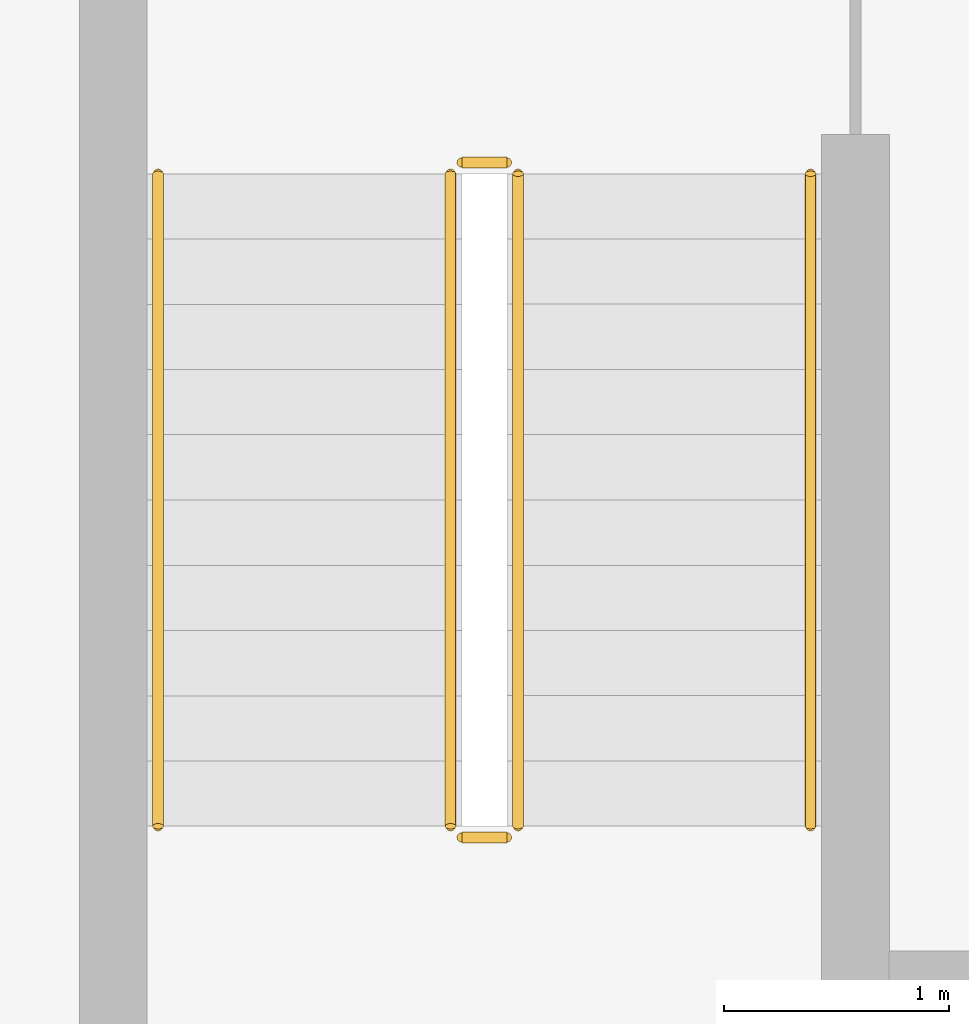
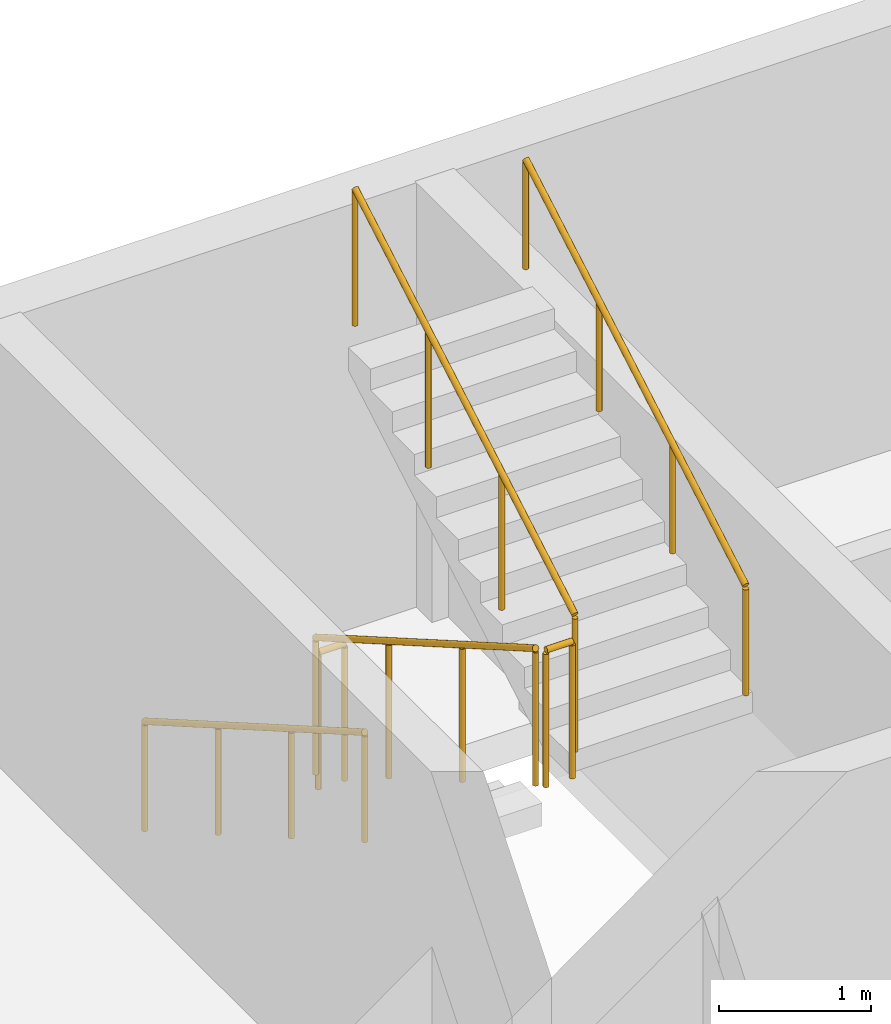
# One storey, part 71 of 73: 6 railings.
"""IFC4 building model written with IfcOpenShell, lengths in metres."""

from ifc_helpers import new_model, si_unit, derived_unit, direction, frame, origin, origin_2d, place, context, subcontext, project, spatial, circle, extrude, material, type_object, element, save


model = new_model("IFC4")

# Units and contexts
model_context = context("Model", 3, precision=1e-05, world=origin(), true_north=direction((0.0, 1.0)))
body_context = subcontext(model_context, "Body", "Model", "MODEL_VIEW")
ifc_project = project(units=[si_unit("LENGTHUNIT", "METRE"), si_unit("AREAUNIT", "SQUARE_METRE"), si_unit("VOLUMEUNIT", "CUBIC_METRE"), si_unit("PLANEANGLEUNIT", "RADIAN"), si_unit("MASSUNIT", "GRAM", prefix="KILO"), derived_unit("THERMALTRANSMITTANCEUNIT", [(si_unit("MASSUNIT", "GRAM", prefix="KILO"), 1), (si_unit("TIMEUNIT", "SECOND"), -3), (si_unit("THERMODYNAMICTEMPERATUREUNIT", "KELVIN"), -1)])], contexts=[model_context])

# Site, building, storey
site_placement = place(None, origin())
site = spatial("IfcSite", under=ifc_project, at=site_placement, CompositionType="ELEMENT")
building_placement = place(site_placement, origin())
building = spatial("IfcBuilding", under=site, at=building_placement, Name="Ochrekiln Boulevard Commons", CompositionType="ELEMENT")
storey_placement = place(building_placement, frame((0.0, 0.0, 4.89990234375)))
storey = spatial("IfcBuildingStorey", under=building, at=storey_placement, Name="L01", CompositionType="ELEMENT", Elevation=4.89990234375)

# Railings
ifc_material = material(Name="Brushed stainless steel 316 tubular railing", Category="steel")
railing_type_1 = type_object("IfcRailingType", Name="RLG-HDR-900", PredefinedType="HANDRAIL", material=ifc_material)
railing_1_placement = place(storey_placement, frame((157.64990234375, 116.929931640625, 0.167236328125)))
element("IfcRailing", 1, at=railing_1_placement, inside=storey, type_object=railing_type_1, Name="L01 ST-B2 stair handrail 1", PredefinedType="HANDRAIL", context=body_context, shape_type="SweptSolid", body=[
    extrude(circle(Radius=0.02392578125, at=origin_2d()), frame((0.0, 0.0, 0.8759765625), z_axis=(0.0, -0.866523023801, 0.499137104634), x_axis=(1.0, 0.0, 0.0)), (0.0, 0.0, 1.0), 3.3466796875),
    extrude(circle(Radius=0.02099609375, at=origin_2d()), origin(), (0.0, 0.0, 1.0), 0.851806640625),
    extrude(circle(Radius=0.02099609375, at=origin_2d()), frame((0.0, -0.966552734375, 0.556884765625)), (0.0, 0.0, 1.0), 0.851806640625),
    extrude(circle(Radius=0.02099609375, at=origin_2d()), frame((0.0, -1.933349609375, 1.113525390625)), (0.0, 0.0, 1.0), 0.851806640625),
    extrude(circle(Radius=0.02099609375, at=origin_2d()), frame((0.0, -2.89990234375, 1.67041015625)), (0.0, 0.0, 1.0), 0.851806640625),
])
railing_2_placement = place(storey_placement, frame((160.550048828125, 114.030029296875, 2.004638671875)))
element("IfcRailing", 2, at=railing_2_placement, inside=storey, type_object=railing_type_1, Name="L01 ST-B2 stair handrail 2", PredefinedType="HANDRAIL", context=body_context, shape_type="SweptSolid", body=[
    extrude(circle(Radius=0.02392578125, at=origin_2d()), frame((0.0, 0.0, 0.8759765625), z_axis=(0.0, 0.866523023801, 0.499137104634), x_axis=(-1.0, 0.0, 0.0)), (0.0, 0.0, 1.0), 3.3466796875),
    extrude(circle(Radius=0.02099609375, at=origin_2d()), origin(), (0.0, 0.0, 1.0), 0.851806640625),
    extrude(circle(Radius=0.02099609375, at=origin_2d()), frame((0.0, 0.966552734375, 0.556884765625)), (0.0, 0.0, 1.0), 0.851806640625),
    extrude(circle(Radius=0.02099609375, at=origin_2d()), frame((0.0, 1.933349609375, 1.113525390625)), (0.0, 0.0, 1.0), 0.851806640625),
    extrude(circle(Radius=0.02099609375, at=origin_2d()), frame((0.0, 2.89990234375, 1.67041015625)), (0.0, 0.0, 1.0), 0.851806640625),
])
railing_type_2 = type_object("IfcRailingType", Name="RLG-STR-1120", PredefinedType="BALUSTRADE", material=ifc_material)
railing_3_placement = place(storey_placement, frame((158.949951171875, 116.929931640625, 0.167236328125)))
element("IfcRailing", 3, at=railing_3_placement, inside=storey, type_object=railing_type_2, Name="L01 ST-B2 stair guard 1", PredefinedType="BALUSTRADE", context=body_context, shape_type="SweptSolid", body=[
    extrude(circle(Radius=0.02392578125, at=origin_2d()), frame((0.0, 0.0, 1.09619140625), z_axis=(0.0, -0.866523023801, 0.499137104634), x_axis=(1.0, 0.0, 0.0)), (0.0, 0.0, 1.0), 3.3466796875),
    extrude(circle(Radius=0.02099609375, at=origin_2d()), origin(), (0.0, 0.0, 1.0), 1.072021484375),
    extrude(circle(Radius=0.02099609375, at=origin_2d()), frame((0.0, -0.966552734375, 0.556884765625)), (0.0, 0.0, 1.0), 1.072021484375),
    extrude(circle(Radius=0.02099609375, at=origin_2d()), frame((0.0, -1.933349609375, 1.113525390625)), (0.0, 0.0, 1.0), 1.072021484375),
    extrude(circle(Radius=0.02099609375, at=origin_2d()), frame((0.0, -2.89990234375, 1.67041015625)), (0.0, 0.0, 1.0), 1.072021484375),
])
railing_4_placement = place(storey_placement, frame((159.0, 113.97998046875, 1.837646484375)))
element("IfcRailing", 4, at=railing_4_placement, inside=storey, type_object=railing_type_2, Name="L01 ST-B2 stair guard 2", PredefinedType="BALUSTRADE", context=body_context, shape_type="SweptSolid", body=[
    extrude(circle(Radius=0.02392578125, at=origin_2d()), frame((0.0, 0.0, 1.09619140625), z_axis=(1.0, 0.0, 0.0), x_axis=(0.0, 1.0, 0.0)), (0.0, 0.0, 1.0), 0.199951171875),
    extrude(circle(Radius=0.02099609375, at=origin_2d()), origin(), (0.0, 0.0, 1.0), 1.072021484375),
    extrude(circle(Radius=0.02099609375, at=origin_2d()), frame((0.199951171875, 0.0, 0.0)), (0.0, 0.0, 1.0), 1.072021484375),
])
railing_5_placement = place(storey_placement, frame((159.25, 114.030029296875, 2.004638671875)))
element("IfcRailing", 5, at=railing_5_placement, inside=storey, type_object=railing_type_2, Name="L01 ST-B2 stair guard 3", PredefinedType="BALUSTRADE", context=body_context, shape_type="SweptSolid", body=[
    extrude(circle(Radius=0.02392578125, at=origin_2d()), frame((0.0, 0.0, 1.09619140625), z_axis=(0.0, 0.866523023801, 0.499137104634), x_axis=(-1.0, 0.0, 0.0)), (0.0, 0.0, 1.0), 3.3466796875),
    extrude(circle(Radius=0.02099609375, at=origin_2d()), origin(), (0.0, 0.0, 1.0), 1.072021484375),
    extrude(circle(Radius=0.02099609375, at=origin_2d()), frame((0.0, 0.966552734375, 0.556884765625)), (0.0, 0.0, 1.0), 1.072021484375),
    extrude(circle(Radius=0.02099609375, at=origin_2d()), frame((0.0, 1.933349609375, 1.113525390625)), (0.0, 0.0, 1.0), 1.072021484375),
    extrude(circle(Radius=0.02099609375, at=origin_2d()), frame((0.0, 2.89990234375, 1.67041015625)), (0.0, 0.0, 1.0), 1.072021484375),
])
railing_6_placement = place(storey_placement, frame((159.0, 116.97998046875, 0.0)))
element("IfcRailing", 6, at=railing_6_placement, inside=storey, type_object=railing_type_2, Name="L01 ST-B2 stair guard 4", PredefinedType="BALUSTRADE", context=body_context, shape_type="SweptSolid", body=[
    extrude(circle(Radius=0.02392578125, at=origin_2d()), frame((0.0, 0.0, 1.09619140625), z_axis=(1.0, 0.0, 0.0), x_axis=(0.0, 1.0, 0.0)), (0.0, 0.0, 1.0), 0.199951171875),
    extrude(circle(Radius=0.02099609375, at=origin_2d()), origin(), (0.0, 0.0, 1.0), 1.072021484375),
    extrude(circle(Radius=0.02099609375, at=origin_2d()), frame((0.199951171875, 0.0, 0.0)), (0.0, 0.0, 1.0), 1.072021484375),
])

save(model, "model.ifc")
